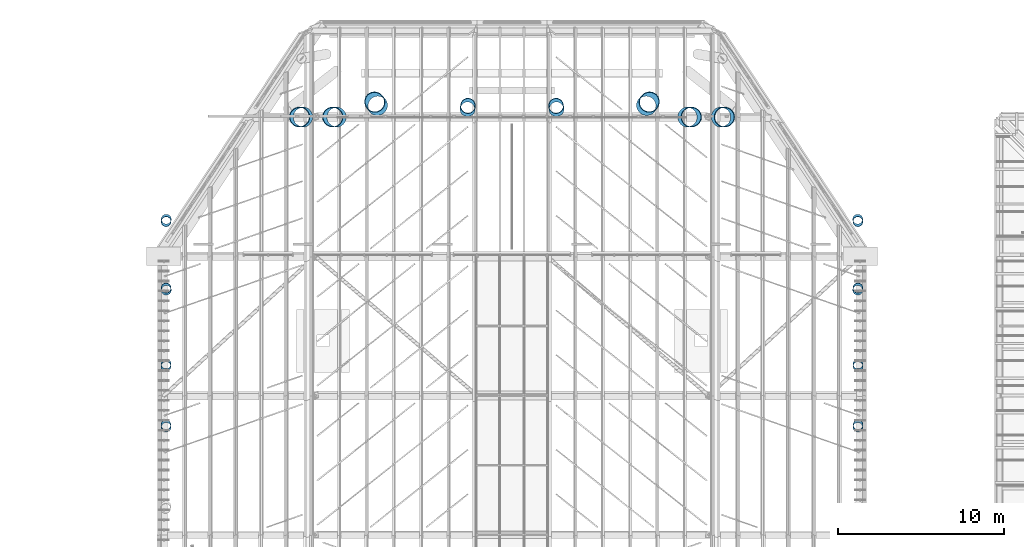
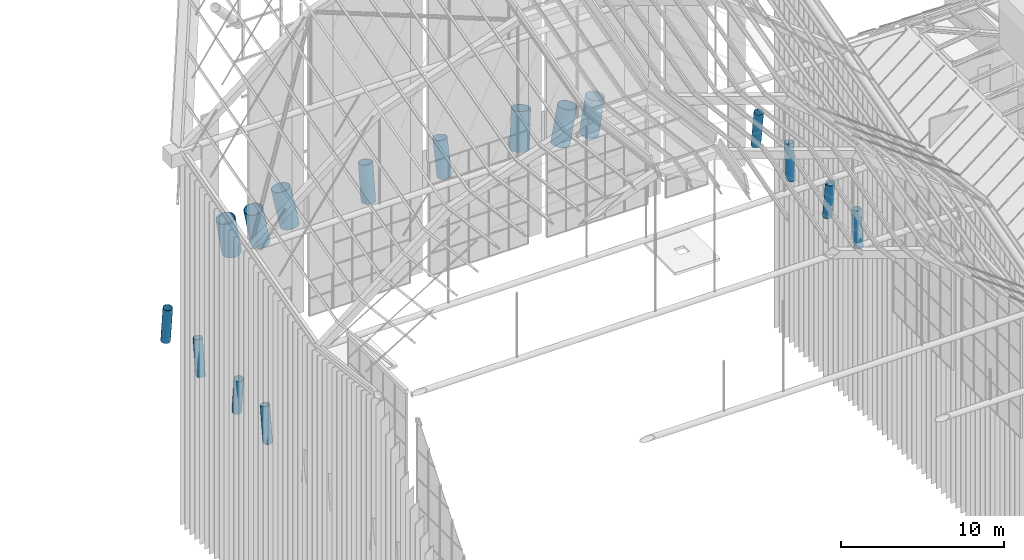
# One storey, part 5 of 126: 16 columns.
"""IFC4 building model written with IfcOpenShell, lengths in metres."""

from ifc_helpers import new_model, si_unit, direction, frame, origin, origin_2d, place, context, subcontext, project, spatial, hollow_circle, extrude, material, material_profile, profile_set, type_object, element, save


model = new_model("IFC4")

# Units and contexts
model_context = context("Model", 3, precision=1e-05, world=origin(), true_north=direction((0.0, 1.0)))
body_context = subcontext(model_context, "Body", "Model", "MODEL_VIEW")
ifc_project = project(units=[si_unit("LENGTHUNIT", "METRE"), si_unit("AREAUNIT", "SQUARE_METRE"), si_unit("VOLUMEUNIT", "CUBIC_METRE"), si_unit("PLANEANGLEUNIT", "RADIAN"), si_unit("MASSUNIT", "GRAM", prefix="KILO")], contexts=[model_context])

# Site, building, storey
site_placement = place(None, origin())
site = spatial("IfcSite", under=ifc_project, at=site_placement, CompositionType="ELEMENT")
building_placement = place(site_placement, origin())
building = spatial("IfcBuilding", under=site, at=building_placement, Name="Sava Quay Ferry Terminal", CompositionType="ELEMENT")
storey_placement = place(building_placement, frame((0.0, 0.0, 15.0)))
storey = spatial("IfcBuildingStorey", under=building, at=storey_placement, Name="L03", CompositionType="ELEMENT", Elevation=15.0)

# Columns
ifc_material_1 = material(Name="Steel S355", Category="steel")
ifc_material_profile_1 = material_profile(ifc_material_1, hollow_circle(Radius=0.609619140625, WallThickness=0.0400390625, at=origin_2d()), Name="CHS 1219 x 40.0")
ifc_profile_set_1 = profile_set([ifc_material_profile_1], Name="Steel S355")
column_type_1 = type_object("IfcColumnType", Name="V column CHS 1219x40", PredefinedType="COLUMN", material=ifc_profile_set_1)
column_1_placement = place(storey_placement, frame((50.3740234375, 109.199951171875, 0.0), z_axis=(-0.158643258763, 0.0, 0.987335969389), x_axis=(0.0, -1.0, 0.0)))
element("IfcColumn", 1, at=column_1_placement, inside=storey, type_object=column_type_1, Name="Departure hall prow V column D-PV7H0a part 4", PredefinedType="COLUMN", context=body_context, shape_type="SweptSolid", body=[
    extrude(hollow_circle(Radius=0.609619140625, WallThickness=0.0400390625, at=origin_2d()), origin(), (0.0, 0.0, 1.0), 2.683837890625),
])
for number, where, z_axis, x_axis, name in (
    (2, (52.40087890625, 109.199951171875, 0.0), (-0.180424308453, 0.0, 0.983588871897), (0.0, -1.0, 0.0), "Departure hall prow V column D-PV7H0b part 4"),
    (3, (73.59912109375, 109.199951171875, 0.0), (0.180424308453, 0.0, 0.983588871897), (0.0, 1.0, 0.0), "Departure hall prow V column D-PV7H1a part 4"),
):
    element("IfcColumn", number, at=place(storey_placement, frame(where, z_axis=z_axis, x_axis=x_axis)), inside=storey, type_object=column_type_1, Name=name, PredefinedType="COLUMN", context=body_context, shape_type="SweptSolid", body=[
        extrude(hollow_circle(Radius=0.609619140625, WallThickness=0.0400390625, at=origin_2d()), origin(), (0.0, 0.0, 1.0), 2.694091796875),
    ])
column_2_placement = place(storey_placement, frame((75.6259765625, 109.199951171875, 0.0), z_axis=(0.158643258763, 0.0, 0.987335969389), x_axis=(0.0, 1.0, 0.0)))
element("IfcColumn", 4, at=column_2_placement, inside=storey, type_object=column_type_1, Name="Departure hall prow V column D-PV7H1b part 4", PredefinedType="COLUMN", context=body_context, shape_type="SweptSolid", body=[
    extrude(hollow_circle(Radius=0.609619140625, WallThickness=0.0400390625, at=origin_2d()), origin(), (0.0, 0.0, 1.0), 2.683837890625),
])
for number, where, z_axis, x_axis, name in (
    (5, (54.8857421875, 109.897705078125, 0.0), (-0.138099299411, 0.172781361592, 0.975230836566), (-0.781146145687, -0.624348219408, 0.0), "Departure hall prow V column D-PVTa part 4"),
    (6, (71.1142578125, 109.897705078125, 0.0), (0.138099299411, 0.172781361592, 0.975230836566), (-0.781146145687, 0.624348219408, 0.0), "Departure hall prow V column D-PVTb part 4"),
):
    element("IfcColumn", number, at=place(storey_placement, frame(where, z_axis=z_axis, x_axis=x_axis)), inside=storey, type_object=column_type_1, Name=name, PredefinedType="COLUMN", context=body_context, shape_type="SweptSolid", body=[
        extrude(hollow_circle(Radius=0.609619140625, WallThickness=0.0400390625, at=origin_2d()), origin(), (0.0, 0.0, 1.0), 2.71728515625),
    ])
ifc_material_2 = material(Name="Steel S355", Category="steel")
ifc_material_profile_2 = material_profile(ifc_material_2, hollow_circle(Radius=0.304931640625, WallThickness=0.02001953125, at=origin_2d()), Name="CHS 610 x 20.0")
ifc_profile_set_2 = profile_set([ifc_material_profile_2], Name="Steel S355")
column_type_2 = type_object("IfcColumnType", Name="V column CHS 610x20", PredefinedType="COLUMN", material=ifc_profile_set_2)
for number, where, z_axis, x_axis, name in (
    (7, (42.134765625, 90.498046875, 0.0), (-0.010066398651, 0.115306020913, 0.993279008718), (-0.9962108621, -0.086970789548, 0.0), "Departure hall V column D-VL5a part 4"),
    (8, (42.134765625, 94.302001953125, 0.0), (-0.010066398651, -0.115306020913, 0.993279008718), (0.9962108621, -0.086970789548, 0.0), "Departure hall V column D-VL5b part 4"),
):
    element("IfcColumn", number, at=place(storey_placement, frame(where, z_axis=z_axis, x_axis=x_axis)), inside=storey, type_object=column_type_2, Name=name, PredefinedType="COLUMN", context=body_context, shape_type="SweptSolid", body=[
        extrude(hollow_circle(Radius=0.304931640625, WallThickness=0.02001953125, at=origin_2d()), origin(), (0.0, 0.0, 1.0), 2.667724609375),
    ])
column_3_placement = place(storey_placement, frame((42.146484375, 98.761474609375, 0.0), z_axis=(-0.009251333731, 0.107168915501, 0.99419778534), x_axis=(-0.996294711591, -0.086004928095, 0.0)))
element("IfcColumn", 9, at=column_3_placement, inside=storey, type_object=column_type_2, Name="Departure hall V column D-VL6a part 4", PredefinedType="COLUMN", context=body_context, shape_type="SweptSolid", body=[
    extrude(hollow_circle(Radius=0.304931640625, WallThickness=0.02001953125, at=origin_2d()), origin(), (0.0, 0.0, 1.0), 2.665283203125),
])
column_4_placement = place(storey_placement, frame((42.146484375, 103.033935546875, 0.0), z_axis=(-0.00923839364, -0.119367363369, 0.992807173949), x_axis=(0.997018423069, -0.077163877954, 0.0)))
element("IfcColumn", 10, at=column_4_placement, inside=storey, type_object=column_type_2, Name="Departure hall V column D-VL6b part 4", PredefinedType="COLUMN", context=body_context, shape_type="SweptSolid", body=[
    extrude(hollow_circle(Radius=0.304931640625, WallThickness=0.02001953125, at=origin_2d()), origin(), (0.0, 0.0, 1.0), 2.669189453125),
])
for number, where, z_axis, x_axis, name in (
    (11, (83.865234375, 90.498046875, 0.0), (0.010066398651, 0.115306020913, 0.993279008718), (-0.9962108621, 0.086970789548, 0.0), "Departure hall V column D-VR5a part 4"),
    (12, (83.865234375, 94.302001953125, 0.0), (0.010066398651, -0.115306020913, 0.993279008718), (0.9962108621, 0.086970789548, 0.0), "Departure hall V column D-VR5b part 4"),
):
    element("IfcColumn", number, at=place(storey_placement, frame(where, z_axis=z_axis, x_axis=x_axis)), inside=storey, type_object=column_type_2, Name=name, PredefinedType="COLUMN", context=body_context, shape_type="SweptSolid", body=[
        extrude(hollow_circle(Radius=0.304931640625, WallThickness=0.02001953125, at=origin_2d()), origin(), (0.0, 0.0, 1.0), 2.667724609375),
    ])
column_5_placement = place(storey_placement, frame((83.853515625, 98.761474609375, 0.0), z_axis=(0.009251333731, 0.107168915501, 0.99419778534), x_axis=(-0.996294711591, 0.086004928095, 0.0)))
element("IfcColumn", 13, at=column_5_placement, inside=storey, type_object=column_type_2, Name="Departure hall V column D-VR6a part 4", PredefinedType="COLUMN", context=body_context, shape_type="SweptSolid", body=[
    extrude(hollow_circle(Radius=0.304931640625, WallThickness=0.02001953125, at=origin_2d()), origin(), (0.0, 0.0, 1.0), 2.665283203125),
])
column_6_placement = place(storey_placement, frame((83.853515625, 103.033935546875, 0.0), z_axis=(0.00923839364, -0.119367363369, 0.992807173949), x_axis=(0.997018423069, 0.077163877954, 0.0)))
element("IfcColumn", 14, at=column_6_placement, inside=storey, type_object=column_type_2, Name="Departure hall V column D-VR6b part 4", PredefinedType="COLUMN", context=body_context, shape_type="SweptSolid", body=[
    extrude(hollow_circle(Radius=0.304931640625, WallThickness=0.02001953125, at=origin_2d()), origin(), (0.0, 0.0, 1.0), 2.669189453125),
])
ifc_material_3 = material(Name="Steel S355", Category="steel")
ifc_material_profile_3 = material_profile(ifc_material_3, hollow_circle(Radius=0.45703125, WallThickness=0.030029296875, at=origin_2d()), Name="CHS 914 x 30.0")
ifc_profile_set_3 = profile_set([ifc_material_profile_3], Name="Steel S355")
column_type_3 = type_object("IfcColumnType", Name="V column CHS 914x30", PredefinedType="COLUMN", material=ifc_profile_set_3)
for number, where, z_axis, x_axis, name in (
    (15, (60.318115234375, 109.686767578125, 0.0), (0.019269787978, 0.162157083742, 0.9865767864), (-0.993013143036, 0.118003803993, 0.0), "Departure hall prow V column D-PVMa2.1 part 4"),
    (16, (65.681884765625, 109.686767578125, 0.0), (-0.019269787978, 0.162157083742, 0.9865767864), (-0.993013143036, -0.118003803993, 0.0), "Departure hall prow V column D-PVMb2.1 part 4"),
):
    element("IfcColumn", number, at=place(storey_placement, frame(where, z_axis=z_axis, x_axis=x_axis)), inside=storey, type_object=column_type_3, Name=name, PredefinedType="COLUMN", context=body_context, shape_type="SweptSolid", body=[
        extrude(hollow_circle(Radius=0.45703125, WallThickness=0.030029296875, at=origin_2d()), origin(), (0.0, 0.0, 1.0), 2.68603515625),
    ])

save(model, "model.ifc")
